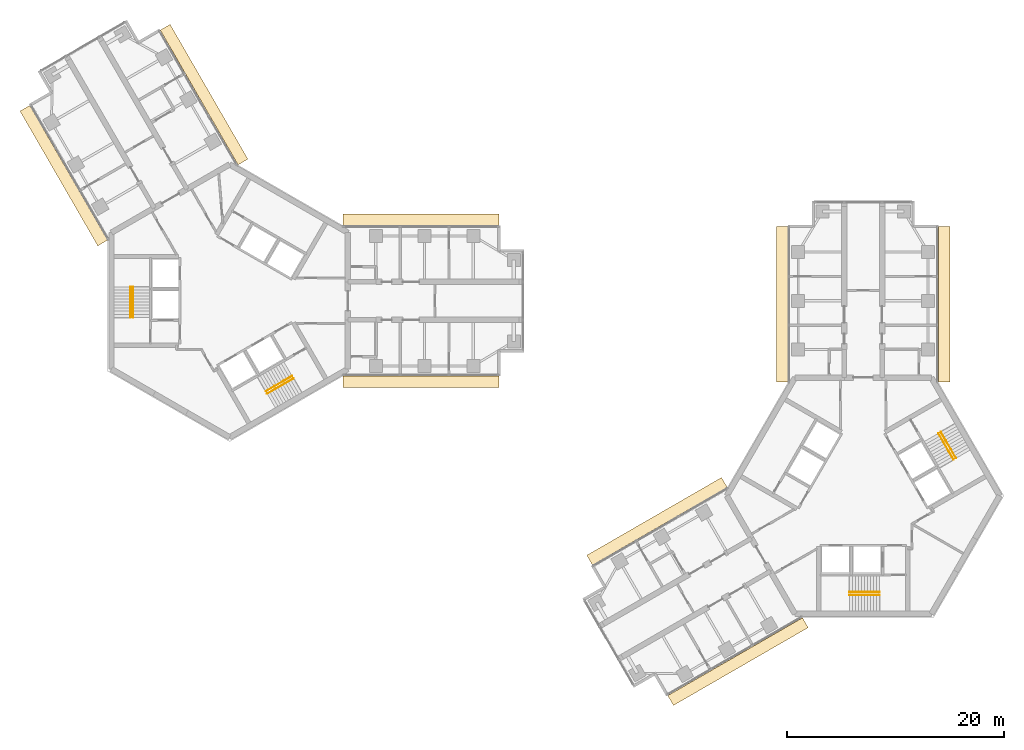
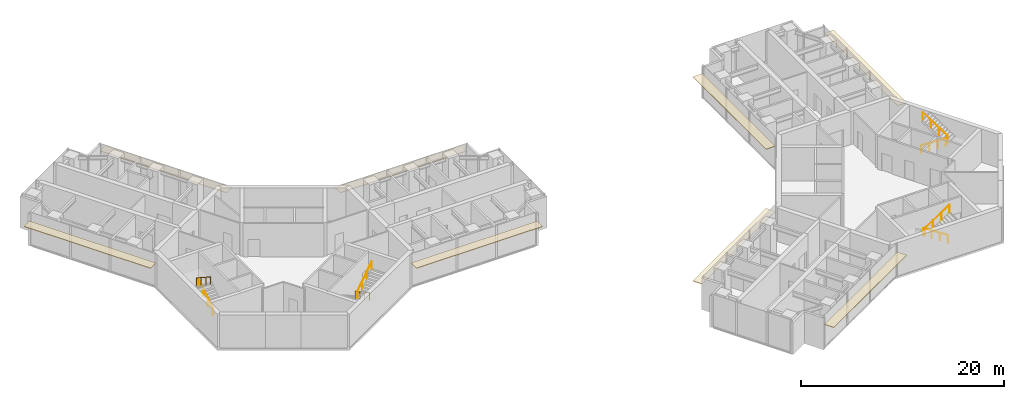
# One storey, part 17 of 17: 8 coverings, 8 railings.
"""IFC4 building model written with IfcOpenShell, lengths in metres."""

from ifc_helpers import new_model, si_unit, direction, frame, origin, origin_2d, place, context, subcontext, project, spatial, rectangle, circle, extrude, material, layer, layer_set, type_object, element, save


model = new_model("IFC4")

# Units and contexts
model_context = context("Model", 3, precision=1e-05, world=origin(), true_north=direction((0.0, 1.0)))
body_context = subcontext(model_context, "Body", "Model", "MODEL_VIEW")
ifc_project = project(units=[si_unit("LENGTHUNIT", "METRE"), si_unit("AREAUNIT", "SQUARE_METRE"), si_unit("VOLUMEUNIT", "CUBIC_METRE"), si_unit("PLANEANGLEUNIT", "RADIAN"), si_unit("MASSUNIT", "GRAM", prefix="KILO")], contexts=[model_context])

# Site, building, storey
site_placement = place(None, origin())
site = spatial("IfcSite", under=ifc_project, at=site_placement, CompositionType="ELEMENT")
building_placement = place(site_placement, origin())
building = spatial("IfcBuilding", under=site, at=building_placement, Name="Upepo Twin Towers", CompositionType="ELEMENT")
storey_placement = place(building_placement, frame((0.0, 0.0, 186.5)))
storey = spatial("IfcBuildingStorey", under=building, at=storey_placement, Name="L45", CompositionType="ELEMENT", Elevation=186.5)

# Coverings
ifc_material_1 = material(Name="Anodised aluminium, pale silver", Category="aluminium")
ifc_layer = layer(ifc_material_1, 0.080078125)
ifc_layer_set = layer_set([ifc_layer], Name="Brise-soleil blade 1050 pale aluminium")
covering_type = type_object("IfcCoveringType", Name="Brise-soleil blade 1050 pale aluminium", PredefinedType="USERDEFINED", material=ifc_layer_set)
for number, where, z_axis, x_axis, name in (
    (1, (17.66845703125, 7.4775390625, 2.909912109375), (0.0, 0.0, 1.0), (1.0, 0.0, 0.0), "T1 L45 wing A brise-soleil L"),
    (2, (17.66845703125, -7.4775390625, 2.909912109375), (0.0, 0.0, 1.0), (1.0, 0.0, 0.0), "T1 L45 wing A brise-soleil R"),
    (3, (-15.31005859375, 11.562744140625, 2.909912109375), (0.0, 0.0, 1.0), (-0.50000003023, 0.866025386331, 0.0), "T1 L45 wing B brise-soleil L"),
    (4, (-2.358642578125, 19.040283203125, 2.909912109375), (0.0, 0.0, 1.0), (-0.50000003023, 0.866025386331, 0.0), "T1 L45 wing B brise-soleil R"),
    (5, (51.0224609375, -0.33154296875, 2.909912109375), (0.0, 0.0, 1.0), (0.0, 1.0, 0.0), "T2 L45 wing A brise-soleil L"),
    (6, (65.9775390625, -0.33154296875, 2.909912109375), (0.0, 0.0, 1.0), (0.0, 1.0, 0.0), "T2 L45 wing A brise-soleil R"),
    (7, (46.937255859375, -33.31005859375, 2.909912109375), (0.0, 0.0, 1.0), (-0.866025386331, -0.50000003023, 0.0), "T2 L45 wing B brise-soleil L"),
    (8, (39.459716796875, -20.358642578125, 2.909912109375), (0.0, 0.0, 1.0), (-0.866025386331, -0.50000003023, 0.0), "T2 L45 wing B brise-soleil R"),
):
    element("IfcCovering", number, at=place(storey_placement, frame(where, z_axis=z_axis, x_axis=x_axis)), inside=storey, type_object=covering_type, Name=name, ObjectType="SUNSHADE", PredefinedType="USERDEFINED", context=body_context, shape_type="SweptSolid", body=[
        extrude(rectangle(XDim=14.36279296875, YDim=1.050048828125, at=origin_2d()), origin(), (0.0, 0.0, 1.0), 0.080078125),
    ])

# Railings
ifc_material_2 = material(Name="Stainless steel", Category="steel")
railing_type = type_object("IfcRailingType", Name="Stair handrail 900", PredefinedType="HANDRAIL", material=ifc_material_2)
railing_1_placement = place(storey_placement, frame((-8.89990234375, -1.52001953125, 0.181884765625)))
element("IfcRailing", 9, at=railing_1_placement, inside=storey, type_object=railing_type, Name="T1 stair S1 L45 handrail 1", PredefinedType="HANDRAIL", context=body_context, shape_type="SweptSolid", body=[
    extrude(circle(Radius=0.02392578125, at=origin_2d()), frame((0.0, 0.0, 0.8759765625), z_axis=(0.0, 0.838705829183, 0.544584733623), x_axis=(-1.0, 0.0, 0.0)), (0.0, 0.0, 1.0), 3.338623046875),
    extrude(circle(Radius=0.02099609375, at=origin_2d()), origin(), (0.0, 0.0, 1.0), 0.851806640625),
    extrude(circle(Radius=0.02099609375, at=origin_2d()), frame((0.0, 0.933349609375, 0.60595703125)), (0.0, 0.0, 1.0), 0.851806640625),
    extrude(circle(Radius=0.02099609375, at=origin_2d()), frame((0.0, 1.86669921875, 1.212158203125)), (0.0, 0.0, 1.0), 0.851806640625),
    extrude(circle(Radius=0.02099609375, at=origin_2d()), frame((0.0, 2.800048828125, 1.818115234375)), (0.0, 0.0, 1.0), 0.851806640625),
])
railing_2_placement = place(storey_placement, frame((-9.158447265625, 1.280029296875, 2.181884765625)))
element("IfcRailing", 10, at=railing_2_placement, inside=storey, type_object=railing_type, Name="T1 stair S1 L45 handrail 2", PredefinedType="HANDRAIL", context=body_context, shape_type="SweptSolid", body=[
    extrude(circle(Radius=0.02392578125, at=origin_2d()), frame((0.0, 0.0, 0.8759765625), z_axis=(0.0, -0.838705829183, 0.544584733623), x_axis=(1.0, 0.0, 0.0)), (0.0, 0.0, 1.0), 3.338623046875),
    extrude(circle(Radius=0.02099609375, at=origin_2d()), origin(), (0.0, 0.0, 1.0), 0.851806640625),
    extrude(circle(Radius=0.02099609375, at=origin_2d()), frame((0.0, -0.933349609375, 0.60595703125)), (0.0, 0.0, 1.0), 0.851806640625),
    extrude(circle(Radius=0.02099609375, at=origin_2d()), frame((0.0, -1.86669921875, 1.212158203125)), (0.0, 0.0, 1.0), 0.851806640625),
    extrude(circle(Radius=0.02099609375, at=origin_2d()), frame((0.0, -2.800048828125, 1.818115234375)), (0.0, 0.0, 1.0), 0.851806640625),
])
railing_3_placement = place(storey_placement, frame((5.766357421875, -6.947509765625, 0.181884765625)))
element("IfcRailing", 11, at=railing_3_placement, inside=storey, type_object=railing_type, Name="T1 stair S2 L45 handrail 1", PredefinedType="HANDRAIL", context=body_context, shape_type="SweptSolid", body=[
    extrude(circle(Radius=0.02392578125, at=origin_2d()), frame((0.0, 0.0, 0.8759765625), z_axis=(-0.726314030065, -0.419392968428, 0.544589265193), x_axis=(0.500049511043, -0.865996816683, 0.0)), (0.0, 0.0, 1.0), 3.338623046875),
    extrude(circle(Radius=0.02099609375, at=origin_2d()), origin(), (0.0, 0.0, 1.0), 0.851806640625),
    extrude(circle(Radius=0.02099609375, at=origin_2d()), frame((-0.808349609375, -0.466796875, 0.60595703125)), (0.0, 0.0, 1.0), 0.851806640625),
    extrude(circle(Radius=0.02099609375, at=origin_2d()), frame((-1.616455078125, -0.933349609375, 1.212158203125)), (0.0, 0.0, 1.0), 0.851806640625),
    extrude(circle(Radius=0.02099609375, at=origin_2d()), frame((-2.4248046875, -1.400146484375, 1.818115234375)), (0.0, 0.0, 1.0), 0.851806640625),
])
railing_4_placement = place(storey_placement, frame((3.470703125, -8.5712890625, 2.181884765625)))
element("IfcRailing", 12, at=railing_4_placement, inside=storey, type_object=railing_type, Name="T1 stair S2 L45 handrail 2", PredefinedType="HANDRAIL", context=body_context, shape_type="SweptSolid", body=[
    extrude(circle(Radius=0.02392578125, at=origin_2d()), frame((0.0, 0.0, 0.8759765625), z_axis=(0.726336304947, 0.419332699614, 0.544605966869), x_axis=(-0.49998411664, 0.866034573852, 0.0)), (0.0, 0.0, 1.0), 3.33837890625),
    extrude(circle(Radius=0.02099609375, at=origin_2d()), origin(), (0.0, 0.0, 1.0), 0.851806640625),
    extrude(circle(Radius=0.02099609375, at=origin_2d()), frame((0.808349609375, 0.466552734375, 0.60595703125)), (0.0, 0.0, 1.0), 0.851806640625),
    extrude(circle(Radius=0.02099609375, at=origin_2d()), frame((1.616455078125, 0.933349609375, 1.212158203125)), (0.0, 0.0, 1.0), 0.851806640625),
    extrude(circle(Radius=0.02099609375, at=origin_2d()), frame((2.4248046875, 1.39990234375, 1.818115234375)), (0.0, 0.0, 1.0), 0.851806640625),
])
railing_5_placement = place(storey_placement, frame((60.02001953125, -26.89990234375, 0.181884765625)))
element("IfcRailing", 13, at=railing_5_placement, inside=storey, type_object=railing_type, Name="T2 stair S1 L45 handrail 1", PredefinedType="HANDRAIL", context=body_context, shape_type="SweptSolid", body=[
    extrude(circle(Radius=0.02392578125, at=origin_2d()), frame((0.0, 0.0, 0.8759765625), z_axis=(-0.838705829183, 0.0, 0.544584733623), x_axis=(0.0, -1.0, 0.0)), (0.0, 0.0, 1.0), 3.338623046875),
    extrude(circle(Radius=0.02099609375, at=origin_2d()), origin(), (0.0, 0.0, 1.0), 0.851806640625),
    extrude(circle(Radius=0.02099609375, at=origin_2d()), frame((-0.933349609375, 0.0, 0.60595703125)), (0.0, 0.0, 1.0), 0.851806640625),
    extrude(circle(Radius=0.02099609375, at=origin_2d()), frame((-1.86669921875, 0.0, 1.212158203125)), (0.0, 0.0, 1.0), 0.851806640625),
    extrude(circle(Radius=0.02099609375, at=origin_2d()), frame((-2.800048828125, 0.0, 1.818115234375)), (0.0, 0.0, 1.0), 0.851806640625),
])
railing_6_placement = place(storey_placement, frame((57.219970703125, -27.158447265625, 2.181884765625)))
element("IfcRailing", 14, at=railing_6_placement, inside=storey, type_object=railing_type, Name="T2 stair S1 L45 handrail 2", PredefinedType="HANDRAIL", context=body_context, shape_type="SweptSolid", body=[
    extrude(circle(Radius=0.02392578125, at=origin_2d()), frame((0.0, 0.0, 0.8759765625), z_axis=(0.838705829183, 0.0, 0.544584733623), x_axis=(0.0, 1.0, 0.0)), (0.0, 0.0, 1.0), 3.338623046875),
    extrude(circle(Radius=0.02099609375, at=origin_2d()), origin(), (0.0, 0.0, 1.0), 0.851806640625),
    extrude(circle(Radius=0.02099609375, at=origin_2d()), frame((0.933349609375, 0.0, 0.60595703125)), (0.0, 0.0, 1.0), 0.851806640625),
    extrude(circle(Radius=0.02099609375, at=origin_2d()), frame((1.86669921875, 0.0, 1.212158203125)), (0.0, 0.0, 1.0), 0.851806640625),
    extrude(circle(Radius=0.02099609375, at=origin_2d()), frame((2.800048828125, 0.0, 1.818115234375)), (0.0, 0.0, 1.0), 0.851806640625),
])
railing_7_placement = place(storey_placement, frame((65.447509765625, -12.233642578125, 0.181884765625)))
element("IfcRailing", 15, at=railing_7_placement, inside=storey, type_object=railing_type, Name="T2 stair S2 L45 handrail 1", PredefinedType="HANDRAIL", context=body_context, shape_type="SweptSolid", body=[
    extrude(circle(Radius=0.02392578125, at=origin_2d()), frame((0.0, 0.0, 0.8759765625), z_axis=(0.419392968428, -0.726314030065, 0.544589265193), x_axis=(0.865996816683, 0.500049511043, 0.0)), (0.0, 0.0, 1.0), 3.338623046875),
    extrude(circle(Radius=0.02099609375, at=origin_2d()), origin(), (0.0, 0.0, 1.0), 0.851806640625),
    extrude(circle(Radius=0.02099609375, at=origin_2d()), frame((0.466796875, -0.808349609375, 0.60595703125)), (0.0, 0.0, 1.0), 0.851806640625),
    extrude(circle(Radius=0.02099609375, at=origin_2d()), frame((0.933349609375, -1.616455078125, 1.212158203125)), (0.0, 0.0, 1.0), 0.851806640625),
    extrude(circle(Radius=0.02099609375, at=origin_2d()), frame((1.400146484375, -2.4248046875, 1.818115234375)), (0.0, 0.0, 1.0), 0.851806640625),
])
railing_8_placement = place(storey_placement, frame((67.0712890625, -14.529296875, 2.181884765625)))
element("IfcRailing", 16, at=railing_8_placement, inside=storey, type_object=railing_type, Name="T2 stair S2 L45 handrail 2", PredefinedType="HANDRAIL", context=body_context, shape_type="SweptSolid", body=[
    extrude(circle(Radius=0.02392578125, at=origin_2d()), frame((0.0, 0.0, 0.8759765625), z_axis=(-0.419332699614, 0.726336304947, 0.544605966869), x_axis=(-0.866034573852, -0.49998411664, 0.0)), (0.0, 0.0, 1.0), 3.33837890625),
    extrude(circle(Radius=0.02099609375, at=origin_2d()), origin(), (0.0, 0.0, 1.0), 0.851806640625),
    extrude(circle(Radius=0.02099609375, at=origin_2d()), frame((-0.466552734375, 0.808349609375, 0.60595703125)), (0.0, 0.0, 1.0), 0.851806640625),
    extrude(circle(Radius=0.02099609375, at=origin_2d()), frame((-0.933349609375, 1.616455078125, 1.212158203125)), (0.0, 0.0, 1.0), 0.851806640625),
    extrude(circle(Radius=0.02099609375, at=origin_2d()), frame((-1.39990234375, 2.4248046875, 1.818115234375)), (0.0, 0.0, 1.0), 0.851806640625),
])

save(model, "model.ifc")
